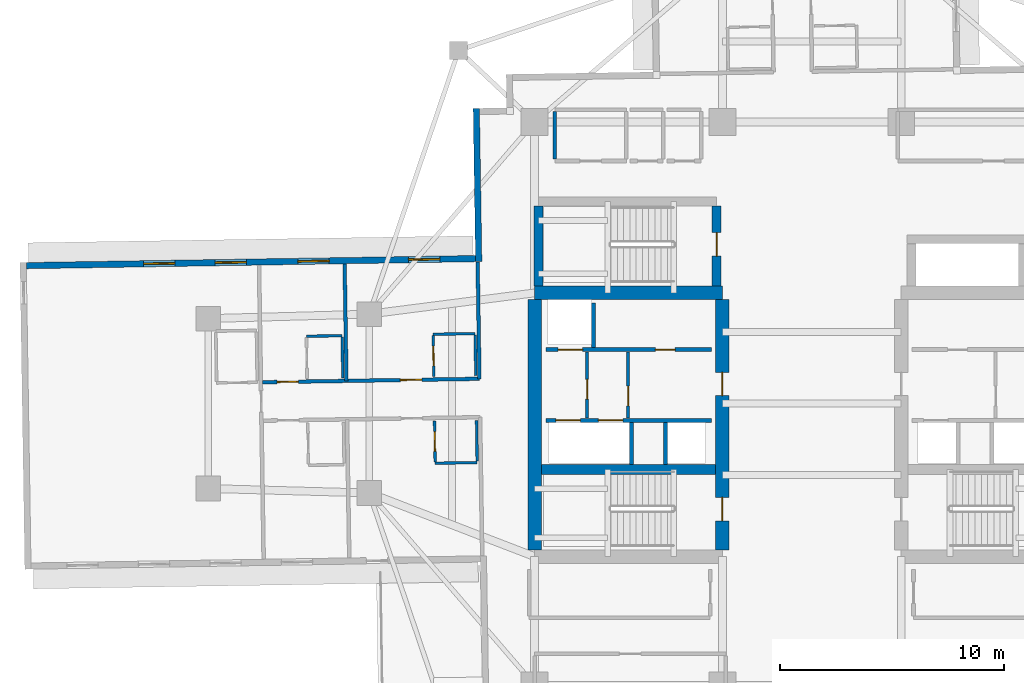
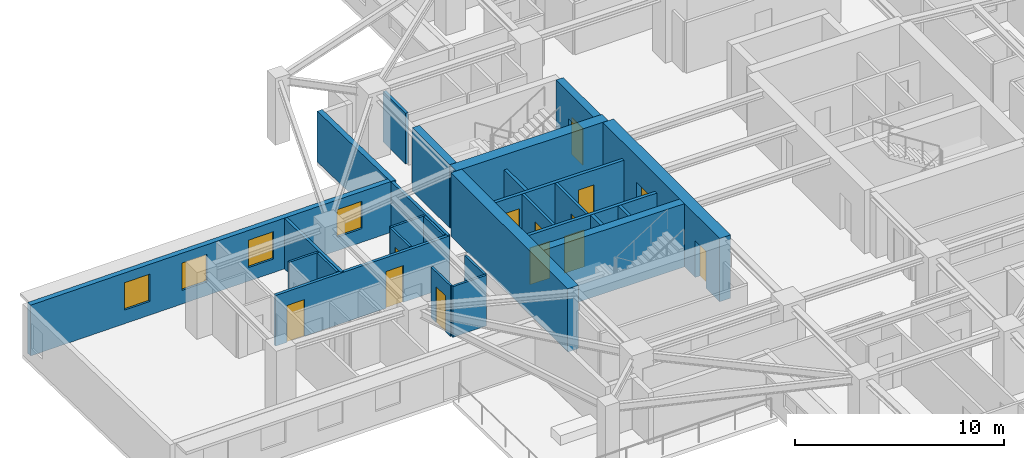
# One storey, part 5 of 14: 27 walls, 13 doors, 4 windows, 17 openings.
"""IFC4 building model written with IfcOpenShell, lengths in metres."""

from ifc_helpers import new_model, si_unit, direction, frame, frame_2d, origin, place, context, subcontext, project, spatial, rectangle, extrude, material, layer, layer_set, type_object, element, fill, save


model = new_model("IFC4")

# Units and contexts
model_context = context("Model", 3, precision=1e-05, world=origin(), true_north=direction((0.0, 1.0)))
body_context = subcontext(model_context, "Body", "Model", "MODEL_VIEW")
ifc_project = project(units=[si_unit("LENGTHUNIT", "METRE"), si_unit("AREAUNIT", "SQUARE_METRE"), si_unit("VOLUMEUNIT", "CUBIC_METRE"), si_unit("PLANEANGLEUNIT", "RADIAN"), si_unit("MASSUNIT", "GRAM", prefix="KILO")], contexts=[model_context])

# Site, building, storey
site_placement = place(None, origin())
site = spatial("IfcSite", under=ifc_project, at=site_placement, CompositionType="ELEMENT")
building_placement = place(site_placement, origin())
building = spatial("IfcBuilding", under=site, at=building_placement, Name="Qingluan Cross Belvedere", CompositionType="ELEMENT")
storey_placement = place(building_placement, frame((0.0, 0.0, 108.60009765625)))
storey = spatial("IfcBuildingStorey", under=building, at=storey_placement, Name="L27", CompositionType="ELEMENT", Elevation=108.60009765625)

# Walls
ifc_material_1 = material(Name="Concrete C50", Category="concrete")
ifc_layer_1 = layer(ifc_material_1, 0.449951171875, Name="CoreShearWall_450")
ifc_layer_set_1 = layer_set([ifc_layer_1], Name="Concrete C50")
wall_type_1 = type_object("IfcWallType", Name="CoreShearWall_450", PredefinedType="SHEAR", material=ifc_layer_set_1)
wall_1_placement = place(storey_placement, frame((-12.094970703125, -2.9599609375, 0.0), z_axis=(0.0, 0.0, 1.0), x_axis=(1.0, 0.0, 0.0)))
element("IfcWall", 1, at=wall_1_placement, inside=storey, type_object=wall_type_1, Name="Split core W shear wall L27-M", PredefinedType="SHEAR", context=body_context, shape_type="SweptSolid", body=[
    extrude(rectangle(XDim=7.7900390625, YDim=0.449951171875, at=frame_2d((3.89501953125, 0.0))), origin(), (0.0, 0.0, 1.0), 3.699951171875),
])
wall_2_placement = place(storey_placement, frame((-12.219970703125, 5.2548828125, 0.0), z_axis=(0.0, 0.0, 1.0), x_axis=(0.0, 1.0, 0.0)))
element("IfcWall", 2, at=wall_2_placement, inside=storey, type_object=wall_type_1, Name="Stair ST3 structural wall W L27", PredefinedType="SHEAR", context=body_context, shape_type="SweptSolid", body=[
    extrude(rectangle(XDim=3.580078125, YDim=0.39990234375, at=frame_2d((1.7900390625, 0.0))), origin(), (0.0, 0.0, 1.0), 3.699951171875),
])

# Wall, opening, door
wall_3_placement = place(storey_placement, frame((-4.260009765625, 5.2548828125, 0.0), z_axis=(0.0, 0.0, 1.0), x_axis=(0.0, 1.0, 0.0)))
wall_3 = element("IfcWall", 3, at=wall_3_placement, inside=storey, type_object=wall_type_1, Name="Stair ST3 structural wall E L27", PredefinedType="SHEAR", context=body_context, shape_type="SweptSolid", body=[
    extrude(rectangle(XDim=3.580078125, YDim=0.39990234375, at=frame_2d((1.7900390625, 0.0))), origin(), (0.0, 0.0, 1.0), 3.699951171875),
])
opening_1_placement = place(wall_3_placement, frame((1.344970703125, 0.0, 0.0)))
opening_1 = element("IfcOpeningElement", 4, at=opening_1_placement, cuts=wall_3, Name="Opening FD-B11", PredefinedType="OPENING", context=body_context, shape_type="SweptSolid", body=[
    extrude(rectangle(XDim=1.050048828125, YDim=2.14990234375, at=frame_2d((0.52490234375, 1.074951171875))), frame((0.0, 0.2099609375, 0.0), z_axis=(0.0, -1.0, 0.0), x_axis=(1.0, 0.0, 0.0)), (0.0, 0.0, 1.0), 0.419921875),
])
ifc_material_2 = material(Name="Steel Class B smoke-seal fire door", Category="steel")
door_type_1 = type_object("IfcDoorType", Name="StairLobbyFireDoor_FDB", OperationType="NOTDEFINED", PredefinedType="DOOR", material=ifc_material_2)
door_1_placement = place(opening_1_placement, origin())
door_1 = element("IfcDoor", 5, at=door_1_placement, inside=storey, type_object=door_type_1, Name="Smoke-proof stair ST3 fire door L27", OperationType="SINGLE_SWING_LEFT", OverallHeight=2.14990234375, OverallWidth=1.050048828125, PredefinedType="DOOR", context=body_context, shape_type="SweptSolid", body=[
    extrude(rectangle(XDim=1.050048828125, YDim=2.14990234375, at=frame_2d((0.52490234375, 1.074951171875))), frame((0.0, 0.02490234375, 0.0), z_axis=(0.0, -1.0, 0.0), x_axis=(1.0, 0.0, 0.0)), (0.0, 0.0, 1.0), 0.050048828125),
])
fill(opening_1, door_1)

# Walls
ifc_material_3 = material(Name="Concrete C60", Category="concrete")
ifc_layer_2 = layer(ifc_material_3, 0.60009765625, Name="CoreShearWall_600")
ifc_layer_set_2 = layer_set([ifc_layer_2], Name="Concrete C60")
wall_type_2 = type_object("IfcWallType", Name="CoreShearWall_600", PredefinedType="SHEAR", material=ifc_layer_set_2)
wall_4_placement = place(storey_placement, frame((-12.39990234375, 4.949951171875, 0.0), z_axis=(0.0, 0.0, 1.0), x_axis=(1.0, 0.0, 0.0)))
element("IfcWall", 6, at=wall_4_placement, inside=storey, type_object=wall_type_2, Name="Split core W shear wall L27-N", PredefinedType="SHEAR", context=body_context, shape_type="SweptSolid", body=[
    extrude(rectangle(XDim=8.39990234375, YDim=0.60009765625, at=frame_2d((4.199951171875, 0.0))), origin(), (0.0, 0.0, 1.0), 3.699951171875),
])
wall_5_placement = place(storey_placement, frame((-12.39990234375, -6.544921875, 0.0), z_axis=(0.0, 0.0, 1.0), x_axis=(0.0, 1.0, 0.0)))
element("IfcWall", 7, at=wall_5_placement, inside=storey, type_object=wall_type_2, Name="Split core W shear wall L27-W", PredefinedType="SHEAR", context=body_context, shape_type="SweptSolid", body=[
    extrude(rectangle(XDim=11.18994140625, YDim=0.60009765625, at=frame_2d((5.594970703125, 0.0))), origin(), (0.0, 0.0, 1.0), 3.699951171875),
])

# Wall, openings, doors
wall_6_placement = place(storey_placement, frame((-4.0, -6.544921875, 0.0), z_axis=(0.0, 0.0, 1.0), x_axis=(0.0, 1.0, 0.0)))
wall_6 = element("IfcWall", 8, at=wall_6_placement, inside=storey, type_object=wall_type_2, Name="Split core W shear wall L27-E", PredefinedType="SHEAR", context=body_context, shape_type="SweptSolid", body=[
    extrude(rectangle(XDim=11.18994140625, YDim=0.60009765625, at=frame_2d((5.594970703125, 0.0))), origin(), (0.0, 0.0, 1.0), 3.699951171875),
])
opening_2_placement = place(wall_6_placement, frame((1.294921875, 0.0, 0.0)))
opening_2 = element("IfcOpeningElement", 9, at=opening_2_placement, cuts=wall_6, Name="Opening FD-B11", PredefinedType="OPENING", context=body_context, shape_type="SweptSolid", body=[
    extrude(rectangle(XDim=1.050048828125, YDim=2.14990234375, at=frame_2d((0.52490234375, 1.074951171875))), frame((0.0, 0.31005859375, 0.0), z_axis=(0.0, -1.0, 0.0), x_axis=(1.0, 0.0, 0.0)), (0.0, 0.0, 1.0), 0.6201171875),
])
opening_3_placement = place(wall_6_placement, frame((6.89501953125, 0.0, 0.0)))
opening_3 = element("IfcOpeningElement", 10, at=opening_3_placement, cuts=wall_6, Name="Opening FD-B11", PredefinedType="OPENING", context=body_context, shape_type="SweptSolid", body=[
    extrude(rectangle(XDim=1.050048828125, YDim=2.14990234375, at=frame_2d((0.52490234375, 1.074951171875))), frame((0.0, 0.31005859375, 0.0), z_axis=(0.0, -1.0, 0.0), x_axis=(1.0, 0.0, 0.0)), (0.0, 0.0, 1.0), 0.6201171875),
])
door_2_placement = place(opening_2_placement, origin())
door_2 = element("IfcDoor", 11, at=door_2_placement, inside=storey, type_object=door_type_1, Name="Smoke-proof stair ST1 fire door L27", OperationType="SINGLE_SWING_LEFT", OverallHeight=2.14990234375, OverallWidth=1.050048828125, PredefinedType="DOOR", context=body_context, shape_type="SweptSolid", body=[
    extrude(rectangle(XDim=1.050048828125, YDim=2.14990234375, at=frame_2d((0.52490234375, 1.074951171875))), frame((0.0, 0.02490234375, 0.0), z_axis=(0.0, -1.0, 0.0), x_axis=(1.0, 0.0, 0.0)), (0.0, 0.0, 1.0), 0.050048828125),
])
fill(opening_2, door_2)
door_3_placement = place(opening_3_placement, origin())
door_3 = element("IfcDoor", 12, at=door_3_placement, inside=storey, type_object=door_type_1, Name="Firefighting lobby West fire door L27", OperationType="SINGLE_SWING_LEFT", OverallHeight=2.14990234375, OverallWidth=1.050048828125, PredefinedType="DOOR", context=body_context, shape_type="SweptSolid", body=[
    extrude(rectangle(XDim=1.050048828125, YDim=2.14990234375, at=frame_2d((0.52490234375, 1.074951171875))), frame((0.0, 0.02490234375, 0.0), z_axis=(0.0, -1.0, 0.0), x_axis=(1.0, 0.0, 0.0)), (0.0, 0.0, 1.0), 0.050048828125),
])
fill(opening_3, door_3)

# Wall, opening, door
ifc_material_4 = material(Name="Gypsum plasterboard on steel stud acoustic partition", Category="steel")
ifc_layer_3 = layer(ifc_material_4, 0.159912109375, Name="CorridorPartition_160")
ifc_layer_set_3 = layer_set([ifc_layer_3], Name="Gypsum plasterboard on steel stud acoustic partition")
wall_type_3 = type_object("IfcWallType", Name="CorridorPartition_160", PredefinedType="PARTITIONING", material=ifc_layer_set_3)
wall_7_placement = place(storey_placement, frame((-10.050048828125, -0.652099609375, 0.0), z_axis=(0.0, 0.0, 1.0), x_axis=(0.0, 1.0, 0.0)))
wall_7 = element("IfcWall", 13, at=wall_7_placement, inside=storey, type_object=wall_type_3, Name="Partition L27:wv", PredefinedType="PARTITIONING", context=body_context, shape_type="SweptSolid", body=[
    extrude(rectangle(XDim=2.962158203125, YDim=0.139892578125, at=frame_2d((1.48095703125, 0.0))), origin(), (0.0, 0.0, 1.0), 2.9599609375),
])
opening_4_placement = place(wall_7_placement, frame((0.85009765625, 0.0, 0.0)))
opening_4 = element("IfcOpeningElement", 14, at=opening_4_placement, cuts=wall_7, Name="Opening FD-B10", PredefinedType="OPENING", context=body_context, shape_type="SweptSolid", body=[
    extrude(rectangle(XDim=0.8798828125, YDim=2.10009765625, at=frame_2d((0.43994140625, 1.050048828125))), frame((0.0, 0.079833984375, 0.0), z_axis=(0.0, -1.0, 0.0), x_axis=(1.0, 0.0, 0.0)), (0.0, 0.0, 1.0), 0.159912109375),
])
ifc_material_5 = material(Name="Steel Class B service fire door", Category="steel")
door_type_2 = type_object("IfcDoorType", Name="RiserServiceFireDoor_FDB", OperationType="NOTDEFINED", PredefinedType="DOOR", material=ifc_material_5)
door_4_placement = place(opening_4_placement, origin())
door_4 = element("IfcDoor", 15, at=door_4_placement, inside=storey, type_object=door_type_2, Name="Service closet inner door L27", OperationType="SINGLE_SWING_RIGHT", OverallHeight=2.10009765625, OverallWidth=0.8798828125, PredefinedType="DOOR", context=body_context, shape_type="SweptSolid", body=[
    extrude(rectangle(XDim=0.8798828125, YDim=2.10009765625, at=frame_2d((0.43994140625, 1.050048828125))), frame((0.0, 0.02490234375, 0.0), z_axis=(0.0, -1.0, 0.0), x_axis=(1.0, 0.0, 0.0)), (0.0, 0.0, 1.0), 0.050048828125),
])
fill(opening_4, door_4)

# Wall
wall_8_placement = place(storey_placement, frame((-11.5, 10.93505859375, 0.0), z_axis=(0.0, 0.0, 1.0), x_axis=(0.0, 1.0, 0.0)))
element("IfcWall", 16, at=wall_8_placement, inside=storey, type_object=wall_type_3, Name="Partition L27:q_nw_occ:W", PredefinedType="PARTITIONING", context=body_context, shape_type="SweptSolid", body=[
    extrude(rectangle(XDim=2.1298828125, YDim=0.159912109375, at=frame_2d((1.06494140625, 0.0))), origin(), (0.0, 0.0, 1.0), 2.9599609375),
])

# Wall, openings, doors
wall_9_placement = place(storey_placement, frame((-14.869140625, 1.106689453125, 0.0), z_axis=(0.0, 0.0, 1.0), x_axis=(-0.999876269181, -0.015730426869, 0.0)))
wall_9 = element("IfcWall", 17, at=wall_9_placement, inside=storey, type_object=wall_type_3, Name="Partition L27:W:c0", PredefinedType="PARTITIONING", context=body_context, shape_type="SweptSolid", body=[
    extrude(rectangle(XDim=9.7001953125, YDim=0.159912109375, at=frame_2d((4.85009765625, 0.0))), origin(), (0.0, 0.0, 1.0), 2.9599609375),
])
opening_5_placement = place(wall_9_placement, frame((2.574951171875, 0.0, 0.0)))
opening_5 = element("IfcOpeningElement", 18, at=opening_5_placement, cuts=wall_9, Name="Opening GD-10", PredefinedType="OPENING", context=body_context, shape_type="SweptSolid", body=[
    extrude(rectangle(XDim=0.9599609375, YDim=2.14990234375, at=frame_2d((0.47998046875, 1.074951171875))), frame((0.0, 0.08984375, 0.0), z_axis=(0.0, -1.0, 0.0), x_axis=(1.0, 0.0, 0.0)), (0.0, 0.0, 1.0), 0.179931640625),
])
opening_6_placement = place(wall_9_placement, frame((8.096923828125, 0.0, 0.0)))
opening_6 = element("IfcOpeningElement", 19, at=opening_6_placement, cuts=wall_9, Name="Opening GD-10", PredefinedType="OPENING", context=body_context, shape_type="SweptSolid", body=[
    extrude(rectangle(XDim=0.9599609375, YDim=2.14990234375, at=frame_2d((0.47998046875, 1.074951171875))), frame((0.0, 0.08984375, 0.0), z_axis=(0.0, -1.0, 0.0), x_axis=(1.0, 0.0, 0.0)), (0.0, 0.0, 1.0), 0.179931640625),
])
ifc_material_6 = material(Name="Timber oak fire-rated acoustic guestroom door", Category="wood")
door_type_3 = type_object("IfcDoorType", Name="GuestEntryDoor_FD60", OperationType="NOTDEFINED", PredefinedType="DOOR", material=ifc_material_6)
door_5_placement = place(opening_5_placement, origin())
door_5 = element("IfcDoor", 20, at=door_5_placement, inside=storey, type_object=door_type_3, Name="Guest entry fire door 2707", OperationType="SINGLE_SWING_RIGHT", OverallHeight=2.14990234375, OverallWidth=0.9599609375, PredefinedType="DOOR", context=body_context, shape_type="SweptSolid", body=[
    extrude(rectangle(XDim=0.9599609375, YDim=2.14990234375, at=frame_2d((0.47998046875, 1.074951171875))), frame((0.0, 0.02490234375, 0.0), z_axis=(0.0, -1.0, 0.0), x_axis=(1.0, 0.0, 0.0)), (0.0, 0.0, 1.0), 0.050048828125),
])
fill(opening_5, door_5)
door_6_placement = place(opening_6_placement, origin())
door_6 = element("IfcDoor", 21, at=door_6_placement, inside=storey, type_object=door_type_3, Name="Guest entry fire door 2708", OperationType="SINGLE_SWING_RIGHT", OverallHeight=2.14990234375, OverallWidth=0.9599609375, PredefinedType="DOOR", context=body_context, shape_type="SweptSolid", body=[
    extrude(rectangle(XDim=0.9599609375, YDim=2.14990234375, at=frame_2d((0.47998046875, 1.074951171875))), frame((0.0, 0.02490234375, 0.0), z_axis=(0.0, -1.0, 0.0), x_axis=(1.0, 0.0, 0.0)), (0.0, 0.0, 1.0), 0.050048828125),
])
fill(opening_6, door_6)

# Walls
for number, where, z_axis, x_axis, name in (
    (22, (-14.869140625, 1.106689453125, 0.0), (0.0, 0.0, 1.0), (-0.01572587515, 0.99987634078, 0.0), "Partition L27:W:s0"),
    (23, (-20.818603515625, 1.01318359375, 0.0), (0.0, 0.0, 1.0), (-0.015679222321, 0.999877073438, 0.0), "Partition L27:W:d0_0"),
):
    element("IfcWall", number, at=place(storey_placement, frame(where, z_axis=z_axis, x_axis=x_axis)), inside=storey, type_object=wall_type_3, Name=name, PredefinedType="PARTITIONING", context=body_context, shape_type="SweptSolid", body=[
        extrude(rectangle(XDim=5.23193359375, YDim=0.159912109375, at=frame_2d((2.615966796875, 0.0))), origin(), (0.0, 0.0, 1.0), 2.9599609375),
    ])

# Wall, opening, door
ifc_material_7 = material(Name="Moisture-resistant gypsum board lining")
ifc_layer_4 = layer(ifc_material_7, 0.1201171875, Name="EnsuiteWetPartition_120")
ifc_layer_set_4 = layer_set([ifc_layer_4], Name="Moisture-resistant gypsum board lining")
wall_type_4 = type_object("IfcWallType", Name="EnsuiteWetPartition_120", PredefinedType="PARTITIONING", material=ifc_layer_set_4)
wall_10_placement = place(storey_placement, frame((-16.9111328125, 1.214599609375, 0.0), z_axis=(0.0, 0.0, 1.0), x_axis=(-0.015696442504, 0.999876803258, 0.0)))
wall_10 = element("IfcWall", 24, at=wall_10_placement, inside=storey, type_object=wall_type_4, Name="Partition L27:W:bs0_0", PredefinedType="PARTITIONING", context=body_context, shape_type="SweptSolid", body=[
    extrude(rectangle(XDim=1.81982421875, YDim=0.1201171875, at=frame_2d((0.909912109375, 0.0))), origin(), (0.0, 0.0, 1.0), 2.9599609375),
])
opening_7_placement = place(wall_10_placement, frame((0.469970703125, 0.0, 0.0)))
opening_7 = element("IfcOpeningElement", 25, at=opening_7_placement, cuts=wall_10, Name="Opening BD-09", PredefinedType="OPENING", context=body_context, shape_type="SweptSolid", body=[
    extrude(rectangle(XDim=0.8798828125, YDim=2.10009765625, at=frame_2d((0.43994140625, 1.050048828125))), frame((0.0, 0.070068359375, 0.0), z_axis=(0.0, -1.0, 0.0), x_axis=(1.0, 0.0, 0.0)), (0.0, 0.0, 1.0), 0.14013671875),
])
ifc_material_8 = material(Name="Moisture-sealed timber en-suite door", Category="wood")
door_type_4 = type_object("IfcDoorType", Name="BathroomDoor_880", OperationType="NOTDEFINED", PredefinedType="DOOR", material=ifc_material_8)
door_7_placement = place(opening_7_placement, origin())
door_7 = element("IfcDoor", 26, at=door_7_placement, inside=storey, type_object=door_type_4, Name="Bathroom door 2707", OperationType="SINGLE_SWING_LEFT", OverallHeight=2.10009765625, OverallWidth=0.8798828125, PredefinedType="DOOR", context=body_context, shape_type="SweptSolid", body=[
    extrude(rectangle(XDim=0.8798828125, YDim=2.10009765625, at=frame_2d((0.43994140625, 1.050048828125))), frame((0.0, 0.02490234375, 0.0), z_axis=(0.0, -1.0, 0.0), x_axis=(1.0, 0.0, 0.0)), (0.0, 0.0, 1.0), 0.050048828125),
])
fill(opening_7, door_7)

# Walls
wall_11_placement = place(storey_placement, frame((-15.031494140625, 1.244140625, 0.0), z_axis=(0.0, 0.0, 1.0), x_axis=(-0.015696442504, 0.999876803258, 0.0)))
element("IfcWall", 27, at=wall_11_placement, inside=storey, type_object=wall_type_4, Name="Partition L27:W:bw0_0", PredefinedType="PARTITIONING", context=body_context, shape_type="SweptSolid", body=[
    extrude(rectangle(XDim=1.81982421875, YDim=0.1201171875, at=frame_2d((0.909912109375, 0.0))), origin(), (0.0, 0.0, 1.0), 2.9599609375),
])
wall_12_placement = place(storey_placement, frame((-15.06103515625, 3.12890625, 0.0), z_axis=(0.0, 0.0, 1.0), x_axis=(-0.999876553475, -0.01571234584, 0.0)))
element("IfcWall", 28, at=wall_12_placement, inside=storey, type_object=wall_type_4, Name="Partition L27:W:bn0_0", PredefinedType="PARTITIONING", context=body_context, shape_type="SweptSolid", body=[
    extrude(rectangle(XDim=1.880126953125, YDim=0.1201171875, at=frame_2d((0.93994140625, 0.0))), origin(), (0.0, 0.0, 1.0), 2.9599609375),
])
wall_13_placement = place(storey_placement, frame((-20.980712890625, 1.150634765625, 0.0), z_axis=(0.0, 0.0, 1.0), x_axis=(-0.015694337248, 0.999876836305, 0.0)))
element("IfcWall", 29, at=wall_13_placement, inside=storey, type_object=wall_type_4, Name="Partition L27:W:bw0_1", PredefinedType="PARTITIONING", context=body_context, shape_type="SweptSolid", body=[
    extrude(rectangle(XDim=1.820068359375, YDim=0.1201171875, at=frame_2d((0.91015625, 0.0))), origin(), (0.0, 0.0, 1.0), 2.9599609375),
])
wall_14_placement = place(storey_placement, frame((-21.01025390625, 3.035400390625, 0.0), z_axis=(0.0, 0.0, 1.0), x_axis=(-0.999876495251, -0.015716050513, 0.0)))
element("IfcWall", 30, at=wall_14_placement, inside=storey, type_object=wall_type_4, Name="Partition L27:W:bn0_1", PredefinedType="PARTITIONING", context=body_context, shape_type="SweptSolid", body=[
    extrude(rectangle(XDim=1.60009765625, YDim=0.1201171875, at=frame_2d((0.800048828125, 0.0))), origin(), (0.0, 0.0, 1.0), 2.9599609375),
])

# Wall, opening, door
wall_15_placement = place(storey_placement, frame((-16.851318359375, -2.60498046875, 0.0), z_axis=(0.0, 0.0, 1.0), x_axis=(-0.015560230231, 0.999878932289, 0.0)))
wall_15 = element("IfcWall", 31, at=wall_15_placement, inside=storey, type_object=wall_type_4, Name="Partition L27:W:bs1_0", PredefinedType="PARTITIONING", context=body_context, shape_type="SweptSolid", body=[
    extrude(rectangle(XDim=1.820068359375, YDim=0.1201171875, at=frame_2d((0.91015625, 0.0))), origin(), (0.0, 0.0, 1.0), 2.9599609375),
])
opening_8_placement = place(wall_15_placement, frame((0.469970703125, 0.0, 0.0)))
opening_8 = element("IfcOpeningElement", 32, at=opening_8_placement, cuts=wall_15, Name="Opening BD-09", PredefinedType="OPENING", context=body_context, shape_type="SweptSolid", body=[
    extrude(rectangle(XDim=0.8798828125, YDim=2.10009765625, at=frame_2d((0.43994140625, 1.050048828125))), frame((0.0, 0.070068359375, 0.0), z_axis=(0.0, -1.0, 0.0), x_axis=(1.0, 0.0, 0.0)), (0.0, 0.0, 1.0), 0.14013671875),
])
door_8_placement = place(opening_8_placement, origin())
door_8 = element("IfcDoor", 33, at=door_8_placement, inside=storey, type_object=door_type_4, Name="Bathroom door 2709", OperationType="SINGLE_SWING_LEFT", OverallHeight=2.10009765625, OverallWidth=0.8798828125, PredefinedType="DOOR", context=body_context, shape_type="SweptSolid", body=[
    extrude(rectangle(XDim=0.8798828125, YDim=2.10009765625, at=frame_2d((0.43994140625, 1.050048828125))), frame((0.0, 0.02490234375, 0.0), z_axis=(0.0, -1.0, 0.0), x_axis=(1.0, 0.0, 0.0)), (0.0, 0.0, 1.0), 0.050048828125),
])
fill(opening_8, door_8)

# Walls
wall_16_placement = place(storey_placement, frame((-14.971435546875, -2.575439453125, 0.0), z_axis=(0.0, 0.0, 1.0), x_axis=(-0.015694337248, 0.999876836305, 0.0)))
element("IfcWall", 34, at=wall_16_placement, inside=storey, type_object=wall_type_4, Name="Partition L27:W:bw1_0", PredefinedType="PARTITIONING", context=body_context, shape_type="SweptSolid", body=[
    extrude(rectangle(XDim=1.820068359375, YDim=0.1201171875, at=frame_2d((0.91015625, 0.0))), origin(), (0.0, 0.0, 1.0), 2.9599609375),
])
wall_17_placement = place(storey_placement, frame((-14.970458984375, -2.640380859375, 0.0), z_axis=(0.0, 0.0, 1.0), x_axis=(-0.99987652141, -0.015714386166, 0.0)))
element("IfcWall", 35, at=wall_17_placement, inside=storey, type_object=wall_type_4, Name="Partition L27:W:bc1_0", PredefinedType="PARTITIONING", context=body_context, shape_type="SweptSolid", body=[
    extrude(rectangle(XDim=1.8798828125, YDim=0.1201171875, at=frame_2d((0.93994140625, 0.0))), origin(), (0.0, 0.0, 1.0), 2.9599609375),
])

# Wall, openings, windows
ifc_material_9 = material(Name="Precast concrete C45", Category="concrete")
ifc_layer_5 = layer(ifc_material_9, 0.280029296875, Name="PrecastFacadeWall_280")
ifc_layer_set_5 = layer_set([ifc_layer_5], Name="Precast concrete C45")
wall_type_5 = type_object("IfcWallType", Name="PrecastFacadeWall_280", PredefinedType="STANDARD", material=ifc_layer_set_5)
wall_18_placement = place(storey_placement, frame((-15.043701171875, 6.484619140625, 0.0), z_axis=(0.0, 0.0, 1.0), x_axis=(-0.999876474133, -0.01571739401, 0.0)))
wall_18 = element("IfcWall", 36, at=wall_18_placement, inside=storey, type_object=wall_type_5, Name="Facade wall L27-WA", PredefinedType="STANDARD", context=body_context, shape_type="SweptSolid", body=[
    extrude(rectangle(XDim=20.099853515625, YDim=0.280029296875, at=frame_2d((10.0498046875, 0.0))), origin(), (0.0, 0.0, 1.0), 2.969970703125),
])
opening_9_placement = place(wall_18_placement, frame((1.60009765625, 0.0, 0.800048828125)))
opening_9 = element("IfcOpeningElement", 37, at=opening_9_placement, cuts=wall_18, Name="Opening W-01", PredefinedType="OPENING", context=body_context, shape_type="SweptSolid", body=[
    extrude(rectangle(XDim=1.39990234375, YDim=1.60009765625, at=frame_2d((0.699951171875, 0.800048828125))), frame((0.0, 0.14990234375, 0.0), z_axis=(0.0, -1.0, 0.0), x_axis=(1.0, 0.0, 0.0)), (0.0, 0.0, 1.0), 0.300048828125),
])
opening_10_placement = place(wall_18_placement, frame((6.550048828125, 0.0, 0.800048828125)))
opening_10 = element("IfcOpeningElement", 38, at=opening_10_placement, cuts=wall_18, Name="Opening W-01", PredefinedType="OPENING", context=body_context, shape_type="SweptSolid", body=[
    extrude(rectangle(XDim=1.39990234375, YDim=1.60009765625, at=frame_2d((0.699951171875, 0.800048828125))), frame((0.0, 0.14990234375, 0.0), z_axis=(0.0, -1.0, 0.0), x_axis=(1.0, 0.0, 0.0)), (0.0, 0.0, 1.0), 0.300048828125),
])
opening_11_placement = place(wall_18_placement, frame((10.25, 0.0, 0.800048828125)))
opening_11 = element("IfcOpeningElement", 39, at=opening_11_placement, cuts=wall_18, Name="Opening W-01", PredefinedType="OPENING", context=body_context, shape_type="SweptSolid", body=[
    extrude(rectangle(XDim=1.39990234375, YDim=1.60009765625, at=frame_2d((0.699951171875, 0.800048828125))), frame((0.0, 0.14990234375, 0.0), z_axis=(0.0, -1.0, 0.0), x_axis=(1.0, 0.0, 0.0)), (0.0, 0.0, 1.0), 0.300048828125),
])
opening_12_placement = place(wall_18_placement, frame((13.449951171875, 0.0, 0.800048828125)))
opening_12 = element("IfcOpeningElement", 40, at=opening_12_placement, cuts=wall_18, Name="Opening W-01", PredefinedType="OPENING", context=body_context, shape_type="SweptSolid", body=[
    extrude(rectangle(XDim=1.39990234375, YDim=1.60009765625, at=frame_2d((0.699951171875, 0.800048828125))), frame((0.0, 0.14990234375, 0.0), z_axis=(0.0, -1.0, 0.0), x_axis=(1.0, 0.0, 0.0)), (0.0, 0.0, 1.0), 0.300048828125),
])
ifc_material_10 = material(Name="Thermally broken triple Low-E glass in aluminium frame", Category="aluminium")
window_type = type_object("IfcWindowType", Name="TriRibbonWin_1400x1600", PartitioningType="SINGLE_PANEL", PredefinedType="WINDOW", material=ifc_material_10)
window_1_placement = place(opening_9_placement, origin())
window_1 = element("IfcWindow", 41, at=window_1_placement, inside=storey, type_object=window_type, Name="Ribbon window L27-WA-1", OverallHeight=1.60009765625, OverallWidth=1.39990234375, PartitioningType="SINGLE_PANEL", PredefinedType="WINDOW", context=body_context, shape_type="SweptSolid", body=[
    extrude(rectangle(XDim=1.39990234375, YDim=1.60009765625, at=frame_2d((0.699951171875, 0.800048828125))), frame((0.0, 0.030029296875, 0.0), z_axis=(0.0, -1.0, 0.0), x_axis=(1.0, 0.0, 0.0)), (0.0, 0.0, 1.0), 0.06005859375),
])
fill(opening_9, window_1)
window_2_placement = place(opening_10_placement, origin())
window_2 = element("IfcWindow", 42, at=window_2_placement, inside=storey, type_object=window_type, Name="Ribbon window L27-WA-2", OverallHeight=1.60009765625, OverallWidth=1.39990234375, PartitioningType="SINGLE_PANEL", PredefinedType="WINDOW", context=body_context, shape_type="SweptSolid", body=[
    extrude(rectangle(XDim=1.39990234375, YDim=1.60009765625, at=frame_2d((0.699951171875, 0.800048828125))), frame((0.0, 0.030029296875, 0.0), z_axis=(0.0, -1.0, 0.0), x_axis=(1.0, 0.0, 0.0)), (0.0, 0.0, 1.0), 0.06005859375),
])
fill(opening_10, window_2)
window_3_placement = place(opening_11_placement, origin())
window_3 = element("IfcWindow", 43, at=window_3_placement, inside=storey, type_object=window_type, Name="Ribbon window L27-WA-3", OverallHeight=1.60009765625, OverallWidth=1.39990234375, PartitioningType="SINGLE_PANEL", PredefinedType="WINDOW", context=body_context, shape_type="SweptSolid", body=[
    extrude(rectangle(XDim=1.39990234375, YDim=1.60009765625, at=frame_2d((0.699951171875, 0.800048828125))), frame((0.0, 0.030029296875, 0.0), z_axis=(0.0, -1.0, 0.0), x_axis=(1.0, 0.0, 0.0)), (0.0, 0.0, 1.0), 0.06005859375),
])
fill(opening_11, window_3)
window_4_placement = place(opening_12_placement, origin())
window_4 = element("IfcWindow", 44, at=window_4_placement, inside=storey, type_object=window_type, Name="Ribbon window L27-WA-4", OverallHeight=1.60009765625, OverallWidth=1.39990234375, PartitioningType="SINGLE_PANEL", PredefinedType="WINDOW", context=body_context, shape_type="SweptSolid", body=[
    extrude(rectangle(XDim=1.39990234375, YDim=1.60009765625, at=frame_2d((0.699951171875, 0.800048828125))), frame((0.0, 0.030029296875, 0.0), z_axis=(0.0, -1.0, 0.0), x_axis=(1.0, 0.0, 0.0)), (0.0, 0.0, 1.0), 0.06005859375),
])
fill(opening_12, window_4)

# Wall
wall_19_placement = place(storey_placement, frame((-14.901611328125, 6.3466796875, 0.0), z_axis=(0.0, 0.0, 1.0), x_axis=(-0.015694809807, 0.999876828887, 0.0)))
element("IfcWall", 45, at=wall_19_placement, inside=storey, type_object=wall_type_5, Name="Corner wall L27-NW1", PredefinedType="STANDARD", context=body_context, shape_type="SweptSolid", body=[
    extrude(rectangle(XDim=6.85986328125, YDim=0.280029296875, at=frame_2d((3.429931640625, 0.0))), origin(), (0.0, 0.0, 1.0), 2.969970703125),
])

# Wall, openings, doors
ifc_material_11 = material(Name="Concrete C40", Category="concrete")
ifc_layer_6 = layer(ifc_material_11, 0.219970703125, Name="ShaftEnclosureWall_250")
ifc_layer_set_6 = layer_set([ifc_layer_6], Name="Concrete C40")
wall_type_6 = type_object("IfcWallType", Name="ShaftEnclosureWall_250", PredefinedType="SOLIDWALL", material=ifc_layer_set_6)
wall_20_placement = place(storey_placement, frame((-11.89990234375, 2.409912109375, 0.0), z_axis=(0.0, 0.0, 1.0), x_axis=(1.0, 0.0, 0.0)))
wall_20 = element("IfcWall", 46, at=wall_20_placement, inside=storey, type_object=wall_type_6, Name="Core-W north hoistway wall L27", PredefinedType="SOLIDWALL", context=body_context, shape_type="SweptSolid", body=[
    extrude(rectangle(XDim=7.419921875, YDim=0.179931640625, at=frame_2d((3.7099609375, 0.0))), origin(), (0.0, 0.0, 1.0), 2.9599609375),
])
opening_13_placement = place(wall_20_placement, frame((0.550048828125, 0.0, 0.0)))
opening_13 = element("IfcOpeningElement", 47, at=opening_13_placement, cuts=wall_20, Name="Opening LD-11", PredefinedType="OPENING", context=body_context, shape_type="SweptSolid", body=[
    extrude(rectangle(XDim=1.10009765625, YDim=2.14990234375, at=frame_2d((0.550048828125, 1.074951171875))), frame((0.0, 0.099853515625, 0.0), z_axis=(0.0, -1.0, 0.0), x_axis=(1.0, 0.0, 0.0)), (0.0, 0.0, 1.0), 0.199951171875),
])
opening_14_placement = place(wall_20_placement, frame((4.89990234375, 0.0, 0.0)))
opening_14 = element("IfcOpeningElement", 48, at=opening_14_placement, cuts=wall_20, Name="Opening FD-B10", PredefinedType="OPENING", context=body_context, shape_type="SweptSolid", body=[
    extrude(rectangle(XDim=0.8798828125, YDim=2.10009765625, at=frame_2d((0.43994140625, 1.050048828125))), frame((0.0, 0.099853515625, 0.0), z_axis=(0.0, -1.0, 0.0), x_axis=(1.0, 0.0, 0.0)), (0.0, 0.0, 1.0), 0.199951171875),
])
ifc_material_12 = material(Name="Brushed stainless steel centre-opening lift landing door", Category="steel")
door_type_5 = type_object("IfcDoorType", Name="LiftLandingSlidingDoor_1100", OperationType="DOUBLE_DOOR_SLIDING", PredefinedType="DOOR", material=ifc_material_12)
door_9_placement = place(opening_13_placement, origin())
door_9 = element("IfcDoor", 49, at=door_9_placement, inside=storey, type_object=door_type_5, Name="Lift landing sliding door FL1 L27", OperationType="DOUBLE_DOOR_SLIDING", OverallHeight=2.14990234375, OverallWidth=1.10009765625, PredefinedType="DOOR", context=body_context, shape_type="SweptSolid", body=[
    extrude(rectangle(XDim=1.10009765625, YDim=2.14990234375, at=frame_2d((0.550048828125, 1.074951171875))), frame((0.0, 0.02490234375, 0.0), z_axis=(0.0, -1.0, 0.0), x_axis=(1.0, 0.0, 0.0)), (0.0, 0.0, 1.0), 0.050048828125),
])
fill(opening_13, door_9)
door_10_placement = place(opening_14_placement, origin())
door_10 = element("IfcDoor", 50, at=door_10_placement, inside=storey, type_object=door_type_2, Name="Housekeeping supply room door W L27", OperationType="SINGLE_SWING_RIGHT", OverallHeight=2.10009765625, OverallWidth=0.8798828125, PredefinedType="DOOR", context=body_context, shape_type="SweptSolid", body=[
    extrude(rectangle(XDim=0.8798828125, YDim=2.10009765625, at=frame_2d((0.43994140625, 1.050048828125))), frame((0.0, 0.02490234375, 0.0), z_axis=(0.0, -1.0, 0.0), x_axis=(1.0, 0.0, 0.0)), (0.0, 0.0, 1.0), 0.050048828125),
])
fill(opening_14, door_10)

wall_21_placement = place(storey_placement, frame((-11.89990234375, -0.75, 0.0), z_axis=(0.0, 0.0, 1.0), x_axis=(1.0, 0.0, 0.0)))
wall_21 = element("IfcWall", 51, at=wall_21_placement, inside=storey, type_object=wall_type_6, Name="Core-W mid hoistway wall L27", PredefinedType="SOLIDWALL", context=body_context, shape_type="SweptSolid", body=[
    extrude(rectangle(XDim=7.419921875, YDim=0.179931640625, at=frame_2d((3.7099609375, 0.0))), origin(), (0.0, 0.0, 1.0), 2.9599609375),
])
opening_15_placement = place(wall_21_placement, frame((0.449951171875, 0.0, 0.0)))
opening_15 = element("IfcOpeningElement", 52, at=opening_15_placement, cuts=wall_21, Name="Opening LD-11", PredefinedType="OPENING", context=body_context, shape_type="SweptSolid", body=[
    extrude(rectangle(XDim=1.10009765625, YDim=2.14990234375, at=frame_2d((0.550048828125, 1.074951171875))), frame((0.0, 0.099853515625, 0.0), z_axis=(0.0, -1.0, 0.0), x_axis=(1.0, 0.0, 0.0)), (0.0, 0.0, 1.0), 0.199951171875),
])
opening_16_placement = place(wall_21_placement, frame((2.35009765625, 0.0, 0.0)))
opening_16 = element("IfcOpeningElement", 53, at=opening_16_placement, cuts=wall_21, Name="Opening LD-11", PredefinedType="OPENING", context=body_context, shape_type="SweptSolid", body=[
    extrude(rectangle(XDim=1.10009765625, YDim=2.14990234375, at=frame_2d((0.550048828125, 1.074951171875))), frame((0.0, 0.099853515625, 0.0), z_axis=(0.0, -1.0, 0.0), x_axis=(1.0, 0.0, 0.0)), (0.0, 0.0, 1.0), 0.199951171875),
])
door_11_placement = place(opening_15_placement, origin())
door_11 = element("IfcDoor", 54, at=door_11_placement, inside=storey, type_object=door_type_5, Name="Lift landing sliding door LP5 L27", OperationType="DOUBLE_DOOR_SLIDING", OverallHeight=2.14990234375, OverallWidth=1.10009765625, PredefinedType="DOOR", context=body_context, shape_type="SweptSolid", body=[
    extrude(rectangle(XDim=1.10009765625, YDim=2.14990234375, at=frame_2d((0.550048828125, 1.074951171875))), frame((0.0, 0.02490234375, 0.0), z_axis=(0.0, -1.0, 0.0), x_axis=(1.0, 0.0, 0.0)), (0.0, 0.0, 1.0), 0.050048828125),
])
fill(opening_15, door_11)
door_12_placement = place(opening_16_placement, origin())
door_12 = element("IfcDoor", 55, at=door_12_placement, inside=storey, type_object=door_type_5, Name="Lift landing sliding door LP6 L27", OperationType="DOUBLE_DOOR_SLIDING", OverallHeight=2.14990234375, OverallWidth=1.10009765625, PredefinedType="DOOR", context=body_context, shape_type="SweptSolid", body=[
    extrude(rectangle(XDim=1.10009765625, YDim=2.14990234375, at=frame_2d((0.550048828125, 1.074951171875))), frame((0.0, 0.02490234375, 0.0), z_axis=(0.0, -1.0, 0.0), x_axis=(1.0, 0.0, 0.0)), (0.0, 0.0, 1.0), 0.050048828125),
])
fill(opening_16, door_12)

# Walls
wall_22_placement = place(storey_placement, frame((-9.760009765625, 2.5, 0.0), z_axis=(0.0, 0.0, 1.0), x_axis=(0.0, 1.0, 0.0)))
element("IfcWall", 56, at=wall_22_placement, inside=storey, type_object=wall_type_6, Name="Hoistway enclosure divider FL1E L27", PredefinedType="SOLIDWALL", context=body_context, shape_type="SweptSolid", body=[
    extrude(rectangle(XDim=1.989990234375, YDim=0.179931640625, at=frame_2d((0.9951171875, 0.0))), origin(), (0.0, 0.0, 1.0), 2.9599609375),
])
for number, where, z_axis, x_axis, name in (
    (57, (-8.06005859375, -2.72998046875, 0.0), (0.0, 0.0, 1.0), (0.0, 1.0, 0.0), "Hoistway enclosure divider LP6E L27"),
    (58, (-6.5400390625, -2.72998046875, 0.0), (0.0, 0.0, 1.0), (0.0, 1.0, 0.0), "Hoistway enclosure divider LP8W L27"),
):
    element("IfcWall", number, at=place(storey_placement, frame(where, z_axis=z_axis, x_axis=x_axis)), inside=storey, type_object=wall_type_6, Name=name, PredefinedType="SOLIDWALL", context=body_context, shape_type="SweptSolid", body=[
        extrude(rectangle(XDim=1.889892578125, YDim=0.179931640625, at=frame_2d((0.94482421875, 0.0))), origin(), (0.0, 0.0, 1.0), 2.9599609375),
    ])

# Wall, opening, door
wall_23_placement = place(storey_placement, frame((-8.219970703125, -0.64990234375, 0.0), z_axis=(0.0, 0.0, 1.0), x_axis=(0.0, 1.0, 0.0)))
wall_23 = element("IfcWall", 59, at=wall_23_placement, inside=storey, type_object=wall_type_6, Name="Core-W service corridor wall L27", PredefinedType="SOLIDWALL", context=body_context, shape_type="SweptSolid", body=[
    extrude(rectangle(XDim=2.9599609375, YDim=0.139892578125, at=frame_2d((1.47998046875, 0.0))), origin(), (0.0, 0.0, 1.0), 2.9599609375),
])
opening_17_placement = place(wall_23_placement, frame((0.550048828125, 0.0, 0.0)))
opening_17 = element("IfcOpeningElement", 60, at=opening_17_placement, cuts=wall_23, Name="Opening FD-B10", PredefinedType="OPENING", context=body_context, shape_type="SweptSolid", body=[
    extrude(rectangle(XDim=0.8798828125, YDim=2.10009765625, at=frame_2d((0.43994140625, 1.050048828125))), frame((0.0, 0.079833984375, 0.0), z_axis=(0.0, -1.0, 0.0), x_axis=(1.0, 0.0, 0.0)), (0.0, 0.0, 1.0), 0.159912109375),
])
door_13_placement = place(opening_17_placement, origin())
door_13 = element("IfcDoor", 61, at=door_13_placement, inside=storey, type_object=door_type_2, Name="Core-W service room door L27", OperationType="SINGLE_SWING_RIGHT", OverallHeight=2.10009765625, OverallWidth=0.8798828125, PredefinedType="DOOR", context=body_context, shape_type="SweptSolid", body=[
    extrude(rectangle(XDim=0.8798828125, YDim=2.10009765625, at=frame_2d((0.43994140625, 1.050048828125))), frame((0.0, 0.02490234375, 0.0), z_axis=(0.0, -1.0, 0.0), x_axis=(1.0, 0.0, 0.0)), (0.0, 0.0, 1.0), 0.050048828125),
])
fill(opening_17, door_13)

save(model, "model.ifc")
